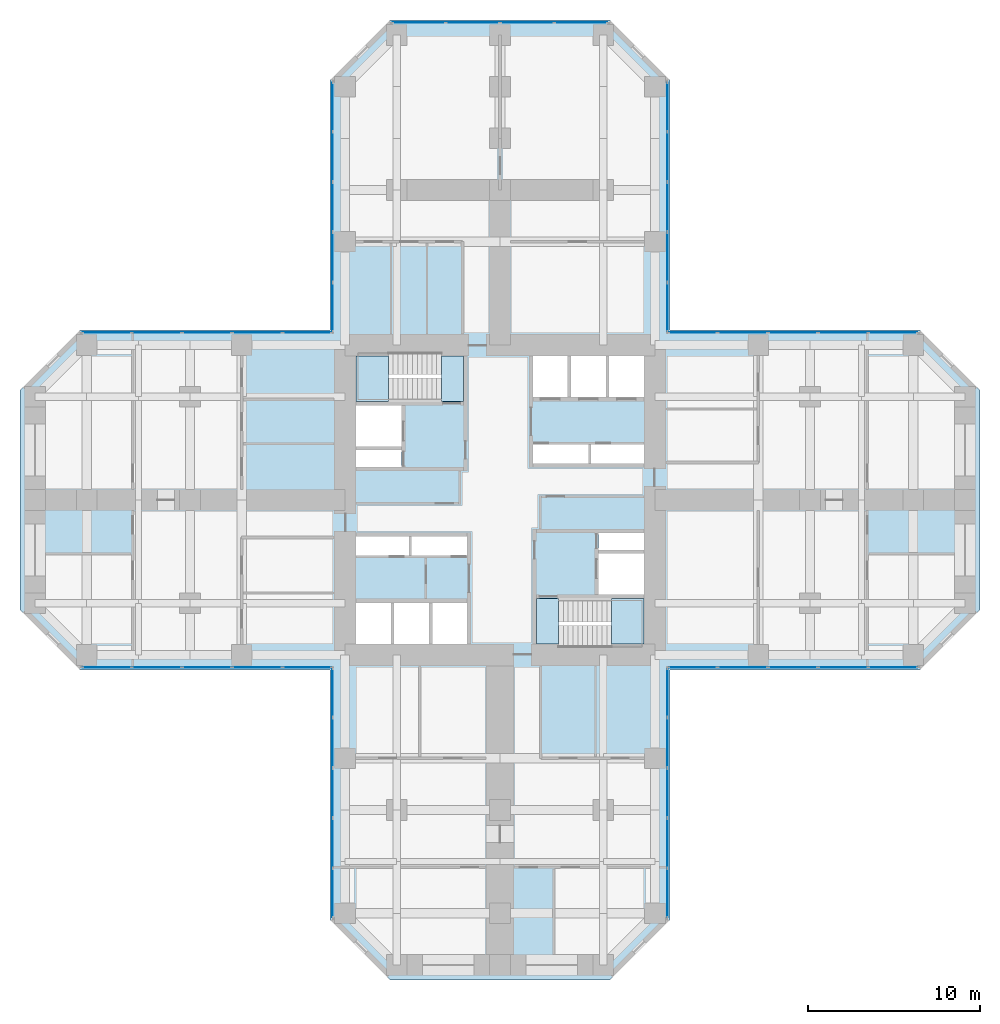
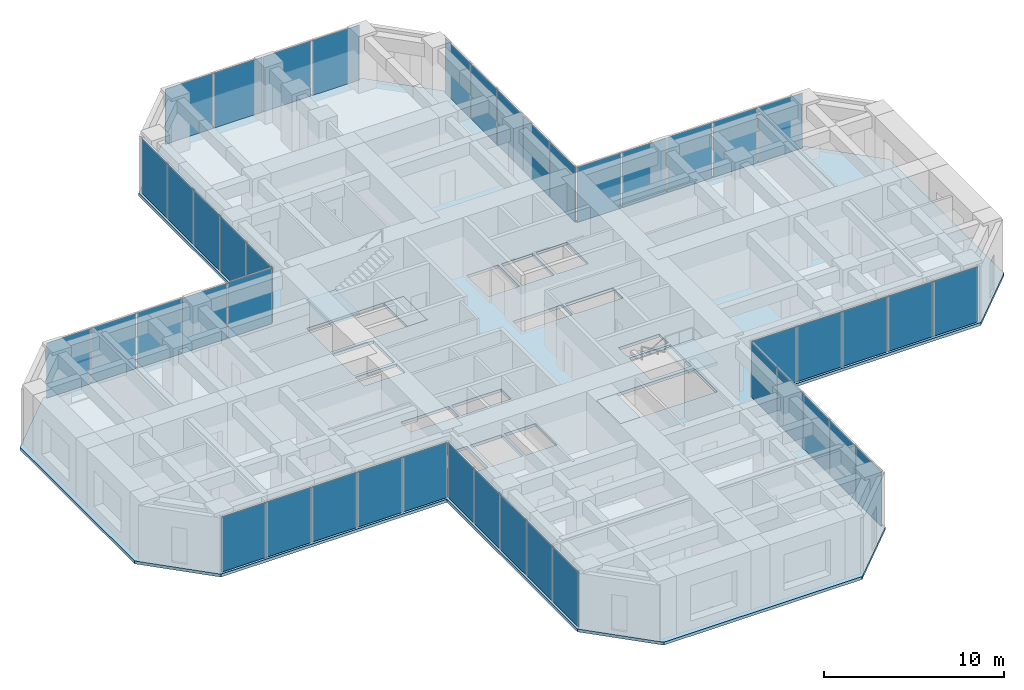
# One storey, part 7 of 13: 44 plates, 5 slabs, 11 elements without a shape of their own.
"""IFC4 building model written with IfcOpenShell, lengths in metres."""

from ifc_helpers import new_model, si_unit, direction, frame, origin, origin_2d, place, context, subcontext, project, spatial, polyline, rectangle, outline, extrude, material, layer, layer_set, type_object, element, aggregate, save


model = new_model("IFC4")

# Units and contexts
model_context = context("Model", 3, precision=1e-05, world=origin(), true_north=direction((0.0, 1.0)))
body_context = subcontext(model_context, "Body", "Model", "MODEL_VIEW")
ifc_project = project(units=[si_unit("LENGTHUNIT", "METRE"), si_unit("AREAUNIT", "SQUARE_METRE"), si_unit("VOLUMEUNIT", "CUBIC_METRE"), si_unit("PLANEANGLEUNIT", "RADIAN"), si_unit("MASSUNIT", "GRAM", prefix="KILO")], contexts=[model_context])

# Site, building, storey
site_placement = place(None, origin())
site = spatial("IfcSite", under=ifc_project, at=site_placement, CompositionType="ELEMENT")
building_placement = place(site_placement, origin())
building = spatial("IfcBuilding", under=site, at=building_placement, Name="Torre Cruceta", CompositionType="ELEMENT")
storey_placement = place(building_placement, frame((0.0, 0.0, 47.5)))
storey = spatial("IfcBuildingStorey", under=building, at=storey_placement, Name="L11", CompositionType="ELEMENT", Elevation=47.5)

# Curtain wall, plate
ifc_material_1 = material(Name="Aluminium unitised curtain wall", Category="aluminium")
curtain_wall_type = type_object("IfcCurtainWallType", Name="CURTAIN WALL CW-A OFFICE LOW RISE", PredefinedType="USERDEFINED", material=ifc_material_1)
curtain_wall_1_placement = place(storey_placement, origin())
curtain_wall_1 = element("IfcCurtainWall", 1, at=curtain_wall_1_placement, inside=storey, type_object=curtain_wall_type, Name="CW-A L11 E side 00", ObjectType="UNITISED", PredefinedType="USERDEFINED")
ifc_material_2 = material(Name="Laminated insulating glass unit, low-iron clear", Category="glass")
ifc_material_3 = material(Name="Laminated insulating glass unit, diagonal frit 50 %", Category="glass")
ifc_layer_1 = layer(ifc_material_3, 0.033935546875)
ifc_layer_set_1 = layer_set([ifc_layer_1], Name="Laminated insulating glass unit, diagonal frit 50 %")
plate_type_1 = type_object("IfcPlateType", Name="CW-A OPERABLE VENT PANEL 34", PredefinedType="CURTAIN_PANEL", material=ifc_layer_set_1)
plate_1_placement = place(storey_placement, frame((17.009033203125, -9.719970703125, 0.010009765625), z_axis=(0.0, 0.0, 1.0), x_axis=(1.0, 0.0, 0.0)))
plate_1 = element("IfcPlate", 2, at=plate_1_placement, type_object=plate_type_1, material=ifc_material_2, Name="CW-A vent 3", PredefinedType="CURTAIN_PANEL", context=body_context, shape_type="SweptSolid", body=[
    extrude(rectangle(XDim=2.8505859375, YDim=0.033935546875, at=origin_2d()), origin(), (0.0, 0.0, 1.0), 3.72509765625),
])

curtain_wall_2_placement = place(storey_placement, origin())
curtain_wall_2 = element("IfcCurtainWall", 3, at=curtain_wall_2_placement, inside=storey, type_object=curtain_wall_type, Name="CW-A L11 E side 04", ObjectType="UNITISED", PredefinedType="USERDEFINED")
plate_2_placement = place(storey_placement, frame((17.009033203125, 9.719970703125, 0.010009765625), z_axis=(0.0, 0.0, 1.0), x_axis=(-1.0, 0.0, 0.0)))
plate_2 = element("IfcPlate", 4, at=plate_2_placement, type_object=plate_type_1, material=ifc_material_2, Name="CW-A vent 3", PredefinedType="CURTAIN_PANEL", context=body_context, shape_type="SweptSolid", body=[
    extrude(rectangle(XDim=2.8505859375, YDim=0.033935546875, at=origin_2d()), origin(), (0.0, 0.0, 1.0), 3.72509765625),
])

curtain_wall_3_placement = place(storey_placement, origin())
curtain_wall_3 = element("IfcCurtainWall", 5, at=curtain_wall_3_placement, inside=storey, type_object=curtain_wall_type, Name="CW-A L11 N side 05", ObjectType="UNITISED", PredefinedType="USERDEFINED")
plate_3_placement = place(storey_placement, frame((9.719970703125, 17.009033203125, 0.010009765625), z_axis=(0.0, 0.0, 1.0), x_axis=(0.0, 1.0, 0.0)))
plate_3 = element("IfcPlate", 6, at=plate_3_placement, type_object=plate_type_1, material=ifc_material_2, Name="CW-A vent 3", PredefinedType="CURTAIN_PANEL", context=body_context, shape_type="SweptSolid", body=[
    extrude(rectangle(XDim=2.8505859375, YDim=0.033935546875, at=origin_2d()), origin(), (0.0, 0.0, 1.0), 3.72509765625),
])

curtain_wall_4_placement = place(storey_placement, origin())
curtain_wall_4 = element("IfcCurtainWall", 7, at=curtain_wall_4_placement, inside=storey, type_object=curtain_wall_type, Name="CW-A L11 N tip 07", ObjectType="UNITISED", PredefinedType="USERDEFINED")
plate_4_placement = place(storey_placement, frame((-1.574462890625, 27.719970703125, 0.010009765625), z_axis=(0.0, 0.0, 1.0), x_axis=(-1.0, 0.0, 0.0)))
plate_4 = element("IfcPlate", 8, at=plate_4_placement, type_object=plate_type_1, material=ifc_material_2, Name="CW-A vent 3", PredefinedType="CURTAIN_PANEL", context=body_context, shape_type="SweptSolid", body=[
    extrude(rectangle(XDim=3.084228515625, YDim=0.033935546875, at=origin_2d()), origin(), (0.0, 0.0, 1.0), 3.72509765625),
])

curtain_wall_5_placement = place(storey_placement, origin())
curtain_wall_5 = element("IfcCurtainWall", 9, at=curtain_wall_5_placement, inside=storey, type_object=curtain_wall_type, Name="CW-A L11 N side 09", ObjectType="UNITISED", PredefinedType="USERDEFINED")
plate_5_placement = place(storey_placement, frame((-9.719970703125, 17.009033203125, 0.010009765625), z_axis=(0.0, 0.0, 1.0), x_axis=(0.0, -1.0, 0.0)))
plate_5 = element("IfcPlate", 10, at=plate_5_placement, type_object=plate_type_1, material=ifc_material_2, Name="CW-A vent 3", PredefinedType="CURTAIN_PANEL", context=body_context, shape_type="SweptSolid", body=[
    extrude(rectangle(XDim=2.8505859375, YDim=0.033935546875, at=origin_2d()), origin(), (0.0, 0.0, 1.0), 3.72509765625),
])

curtain_wall_6_placement = place(storey_placement, origin())
curtain_wall_6 = element("IfcCurtainWall", 11, at=curtain_wall_6_placement, inside=storey, type_object=curtain_wall_type, Name="CW-A L11 W side 10", ObjectType="UNITISED", PredefinedType="USERDEFINED")
plate_6_placement = place(storey_placement, frame((-17.009033203125, 9.719970703125, 0.010009765625), z_axis=(0.0, 0.0, 1.0), x_axis=(-1.0, 0.0, 0.0)))
plate_6 = element("IfcPlate", 12, at=plate_6_placement, type_object=plate_type_1, material=ifc_material_2, Name="CW-A vent 3", PredefinedType="CURTAIN_PANEL", context=body_context, shape_type="SweptSolid", body=[
    extrude(rectangle(XDim=2.8505859375, YDim=0.033935546875, at=origin_2d()), origin(), (0.0, 0.0, 1.0), 3.72509765625),
])

curtain_wall_7_placement = place(storey_placement, origin())
curtain_wall_7 = element("IfcCurtainWall", 13, at=curtain_wall_7_placement, inside=storey, type_object=curtain_wall_type, Name="CW-A L11 W side 14", ObjectType="UNITISED", PredefinedType="USERDEFINED")
plate_7_placement = place(storey_placement, frame((-17.009033203125, -9.719970703125, 0.010009765625), z_axis=(0.0, 0.0, 1.0), x_axis=(1.0, 0.0, 0.0)))
plate_7 = element("IfcPlate", 14, at=plate_7_placement, type_object=plate_type_1, material=ifc_material_2, Name="CW-A vent 3", PredefinedType="CURTAIN_PANEL", context=body_context, shape_type="SweptSolid", body=[
    extrude(rectangle(XDim=2.8505859375, YDim=0.033935546875, at=origin_2d()), origin(), (0.0, 0.0, 1.0), 3.72509765625),
])

curtain_wall_8_placement = place(storey_placement, origin())
curtain_wall_8 = element("IfcCurtainWall", 15, at=curtain_wall_8_placement, inside=storey, type_object=curtain_wall_type, Name="CW-A L11 S side 15", ObjectType="UNITISED", PredefinedType="USERDEFINED")
plate_8_placement = place(storey_placement, frame((-9.719970703125, -17.009033203125, 0.010009765625), z_axis=(0.0, 0.0, 1.0), x_axis=(0.0, -1.0, 0.0)))
plate_8 = element("IfcPlate", 16, at=plate_8_placement, type_object=plate_type_1, material=ifc_material_2, Name="CW-A vent 3", PredefinedType="CURTAIN_PANEL", context=body_context, shape_type="SweptSolid", body=[
    extrude(rectangle(XDim=2.8505859375, YDim=0.033935546875, at=origin_2d()), origin(), (0.0, 0.0, 1.0), 3.72509765625),
])

curtain_wall_9_placement = place(storey_placement, origin())
curtain_wall_9 = element("IfcCurtainWall", 17, at=curtain_wall_9_placement, inside=storey, type_object=curtain_wall_type, Name="CW-A L11 S side 19", ObjectType="UNITISED", PredefinedType="USERDEFINED")
plate_9_placement = place(storey_placement, frame((9.719970703125, -17.009033203125, 0.010009765625), z_axis=(0.0, 0.0, 1.0), x_axis=(0.0, 1.0, 0.0)))
plate_9 = element("IfcPlate", 18, at=plate_9_placement, type_object=plate_type_1, material=ifc_material_2, Name="CW-A vent 3", PredefinedType="CURTAIN_PANEL", context=body_context, shape_type="SweptSolid", body=[
    extrude(rectangle(XDim=2.8505859375, YDim=0.033935546875, at=origin_2d()), origin(), (0.0, 0.0, 1.0), 3.72509765625),
])

# Plate
ifc_material_4 = material(Name="Laminated insulating glass unit, diagonal frit 50 %", Category="glass")
ifc_material_5 = material(Name="Laminated insulating glass unit, diagonal frit 50 %", Category="glass")
ifc_layer_2 = layer(ifc_material_5, 0.033935546875)
ifc_layer_set_2 = layer_set([ifc_layer_2], Name="Laminated insulating glass unit, diagonal frit 50 %")
plate_type_2 = type_object("IfcPlateType", Name="CW-A PANEL 34", PredefinedType="CURTAIN_PANEL", material=ifc_layer_set_2)
plate_10_placement = place(storey_placement, frame((11.194091796875, -9.719970703125, 0.010009765625), z_axis=(0.0, 0.0, 1.0), x_axis=(1.0, 0.0, 0.0)))
plate_10 = element("IfcPlate", 19, at=plate_10_placement, type_object=plate_type_2, material=ifc_material_4, Name="CW-A panel 1", PredefinedType="CURTAIN_PANEL", context=body_context, shape_type="SweptSolid", body=[
    extrude(rectangle(XDim=2.818115234375, YDim=0.033935546875, at=origin_2d()), origin(), (0.0, 0.0, 1.0), 3.72509765625),
])

plate_11_placement = place(storey_placement, frame((14.093505859375, -9.719970703125, 0.010009765625), z_axis=(0.0, 0.0, 1.0), x_axis=(1.0, 0.0, 0.0)))
plate_11 = element("IfcPlate", 20, at=plate_11_placement, type_object=plate_type_2, material=ifc_material_2, Name="CW-A panel 2", PredefinedType="CURTAIN_PANEL", context=body_context, shape_type="SweptSolid", body=[
    extrude(rectangle(XDim=2.8505859375, YDim=0.033935546875, at=origin_2d()), origin(), (0.0, 0.0, 1.0), 3.72509765625),
])

plate_12_placement = place(storey_placement, frame((19.9248046875, -9.719970703125, 0.010009765625), z_axis=(0.0, 0.0, 1.0), x_axis=(1.0, 0.0, 0.0)))
plate_12 = element("IfcPlate", 21, at=plate_12_placement, type_object=plate_type_2, material=ifc_material_4, Name="CW-A panel 4", PredefinedType="CURTAIN_PANEL", context=body_context, shape_type="SweptSolid", body=[
    extrude(rectangle(XDim=2.8505859375, YDim=0.033935546875, at=origin_2d()), origin(), (0.0, 0.0, 1.0), 3.72509765625),
])

plate_13_placement = place(storey_placement, frame((22.82421875, -9.719970703125, 0.010009765625), z_axis=(0.0, 0.0, 1.0), x_axis=(1.0, 0.0, 0.0)))
plate_13 = element("IfcPlate", 22, at=plate_13_placement, type_object=plate_type_2, material=ifc_material_4, Name="CW-A panel 5", PredefinedType="CURTAIN_PANEL", context=body_context, shape_type="SweptSolid", body=[
    extrude(rectangle(XDim=2.818115234375, YDim=0.033935546875, at=origin_2d()), origin(), (0.0, 0.0, 1.0), 3.72509765625),
])

aggregate(curtain_wall_1, [plate_10, plate_11, plate_1, plate_12, plate_13])

plate_14_placement = place(storey_placement, frame((22.82421875, 9.719970703125, 0.010009765625), z_axis=(0.0, 0.0, 1.0), x_axis=(-1.0, 0.0, 0.0)))
plate_14 = element("IfcPlate", 23, at=plate_14_placement, type_object=plate_type_2, material=ifc_material_4, Name="CW-A panel 1", PredefinedType="CURTAIN_PANEL", context=body_context, shape_type="SweptSolid", body=[
    extrude(rectangle(XDim=2.818115234375, YDim=0.033935546875, at=origin_2d()), origin(), (0.0, 0.0, 1.0), 3.72509765625),
])

plate_15_placement = place(storey_placement, frame((19.9248046875, 9.719970703125, 0.010009765625), z_axis=(0.0, 0.0, 1.0), x_axis=(-1.0, 0.0, 0.0)))
plate_15 = element("IfcPlate", 24, at=plate_15_placement, type_object=plate_type_2, material=ifc_material_2, Name="CW-A panel 2", PredefinedType="CURTAIN_PANEL", context=body_context, shape_type="SweptSolid", body=[
    extrude(rectangle(XDim=2.8505859375, YDim=0.033935546875, at=origin_2d()), origin(), (0.0, 0.0, 1.0), 3.72509765625),
])

plate_16_placement = place(storey_placement, frame((14.093505859375, 9.719970703125, 0.010009765625), z_axis=(0.0, 0.0, 1.0), x_axis=(-1.0, 0.0, 0.0)))
plate_16 = element("IfcPlate", 25, at=plate_16_placement, type_object=plate_type_2, material=ifc_material_4, Name="CW-A panel 4", PredefinedType="CURTAIN_PANEL", context=body_context, shape_type="SweptSolid", body=[
    extrude(rectangle(XDim=2.8505859375, YDim=0.033935546875, at=origin_2d()), origin(), (0.0, 0.0, 1.0), 3.72509765625),
])

plate_17_placement = place(storey_placement, frame((11.194091796875, 9.719970703125, 0.010009765625), z_axis=(0.0, 0.0, 1.0), x_axis=(-1.0, 0.0, 0.0)))
plate_17 = element("IfcPlate", 26, at=plate_17_placement, type_object=plate_type_2, material=ifc_material_4, Name="CW-A panel 5", PredefinedType="CURTAIN_PANEL", context=body_context, shape_type="SweptSolid", body=[
    extrude(rectangle(XDim=2.818115234375, YDim=0.033935546875, at=origin_2d()), origin(), (0.0, 0.0, 1.0), 3.72509765625),
])

aggregate(curtain_wall_2, [plate_14, plate_15, plate_2, plate_16, plate_17])

plate_18_placement = place(storey_placement, frame((9.719970703125, 11.194091796875, 0.010009765625), z_axis=(0.0, 0.0, 1.0), x_axis=(0.0, 1.0, 0.0)))
plate_18 = element("IfcPlate", 27, at=plate_18_placement, type_object=plate_type_2, material=ifc_material_4, Name="CW-A panel 1", PredefinedType="CURTAIN_PANEL", context=body_context, shape_type="SweptSolid", body=[
    extrude(rectangle(XDim=2.818115234375, YDim=0.033935546875, at=origin_2d()), origin(), (0.0, 0.0, 1.0), 3.72509765625),
])

plate_19_placement = place(storey_placement, frame((9.719970703125, 14.093505859375, 0.010009765625), z_axis=(0.0, 0.0, 1.0), x_axis=(0.0, 1.0, 0.0)))
plate_19 = element("IfcPlate", 28, at=plate_19_placement, type_object=plate_type_2, material=ifc_material_2, Name="CW-A panel 2", PredefinedType="CURTAIN_PANEL", context=body_context, shape_type="SweptSolid", body=[
    extrude(rectangle(XDim=2.8505859375, YDim=0.033935546875, at=origin_2d()), origin(), (0.0, 0.0, 1.0), 3.72509765625),
])

plate_20_placement = place(storey_placement, frame((9.719970703125, 19.9248046875, 0.010009765625), z_axis=(0.0, 0.0, 1.0), x_axis=(0.0, 1.0, 0.0)))
plate_20 = element("IfcPlate", 29, at=plate_20_placement, type_object=plate_type_2, material=ifc_material_4, Name="CW-A panel 4", PredefinedType="CURTAIN_PANEL", context=body_context, shape_type="SweptSolid", body=[
    extrude(rectangle(XDim=2.8505859375, YDim=0.033935546875, at=origin_2d()), origin(), (0.0, 0.0, 1.0), 3.72509765625),
])

plate_21_placement = place(storey_placement, frame((9.719970703125, 22.82421875, 0.010009765625), z_axis=(0.0, 0.0, 1.0), x_axis=(0.0, 1.0, 0.0)))
plate_21 = element("IfcPlate", 30, at=plate_21_placement, type_object=plate_type_2, material=ifc_material_4, Name="CW-A panel 5", PredefinedType="CURTAIN_PANEL", context=body_context, shape_type="SweptSolid", body=[
    extrude(rectangle(XDim=2.818115234375, YDim=0.033935546875, at=origin_2d()), origin(), (0.0, 0.0, 1.0), 3.72509765625),
])

aggregate(curtain_wall_3, [plate_18, plate_19, plate_3, plate_20, plate_21])

plate_22_placement = place(storey_placement, frame((4.70751953125, 27.719970703125, 0.010009765625), z_axis=(0.0, 0.0, 1.0), x_axis=(-1.0, 0.0, 0.0)))
plate_22 = element("IfcPlate", 31, at=plate_22_placement, type_object=plate_type_2, material=ifc_material_4, Name="CW-A panel 1", PredefinedType="CURTAIN_PANEL", context=body_context, shape_type="SweptSolid", body=[
    extrude(rectangle(XDim=3.051513671875, YDim=0.033935546875, at=origin_2d()), origin(), (0.0, 0.0, 1.0), 3.72509765625),
])

plate_23_placement = place(storey_placement, frame((1.574462890625, 27.719970703125, 0.010009765625), z_axis=(0.0, 0.0, 1.0), x_axis=(-1.0, 0.0, 0.0)))
plate_23 = element("IfcPlate", 32, at=plate_23_placement, type_object=plate_type_2, material=ifc_material_2, Name="CW-A panel 2", PredefinedType="CURTAIN_PANEL", context=body_context, shape_type="SweptSolid", body=[
    extrude(rectangle(XDim=3.084228515625, YDim=0.033935546875, at=origin_2d()), origin(), (0.0, 0.0, 1.0), 3.72509765625),
])

plate_24_placement = place(storey_placement, frame((-4.70751953125, 27.719970703125, 0.010009765625), z_axis=(0.0, 0.0, 1.0), x_axis=(-1.0, 0.0, 0.0)))
plate_24 = element("IfcPlate", 33, at=plate_24_placement, type_object=plate_type_2, material=ifc_material_4, Name="CW-A panel 4", PredefinedType="CURTAIN_PANEL", context=body_context, shape_type="SweptSolid", body=[
    extrude(rectangle(XDim=3.051513671875, YDim=0.033935546875, at=origin_2d()), origin(), (0.0, 0.0, 1.0), 3.72509765625),
])

aggregate(curtain_wall_4, [plate_22, plate_23, plate_4, plate_24])

plate_25_placement = place(storey_placement, frame((-9.719970703125, 22.82421875, 0.010009765625), z_axis=(0.0, 0.0, 1.0), x_axis=(0.0, -1.0, 0.0)))
plate_25 = element("IfcPlate", 34, at=plate_25_placement, type_object=plate_type_2, material=ifc_material_4, Name="CW-A panel 1", PredefinedType="CURTAIN_PANEL", context=body_context, shape_type="SweptSolid", body=[
    extrude(rectangle(XDim=2.818115234375, YDim=0.033935546875, at=origin_2d()), origin(), (0.0, 0.0, 1.0), 3.72509765625),
])

plate_26_placement = place(storey_placement, frame((-9.719970703125, 19.9248046875, 0.010009765625), z_axis=(0.0, 0.0, 1.0), x_axis=(0.0, -1.0, 0.0)))
plate_26 = element("IfcPlate", 35, at=plate_26_placement, type_object=plate_type_2, material=ifc_material_2, Name="CW-A panel 2", PredefinedType="CURTAIN_PANEL", context=body_context, shape_type="SweptSolid", body=[
    extrude(rectangle(XDim=2.8505859375, YDim=0.033935546875, at=origin_2d()), origin(), (0.0, 0.0, 1.0), 3.72509765625),
])

plate_27_placement = place(storey_placement, frame((-9.719970703125, 14.093505859375, 0.010009765625), z_axis=(0.0, 0.0, 1.0), x_axis=(0.0, -1.0, 0.0)))
plate_27 = element("IfcPlate", 36, at=plate_27_placement, type_object=plate_type_2, material=ifc_material_4, Name="CW-A panel 4", PredefinedType="CURTAIN_PANEL", context=body_context, shape_type="SweptSolid", body=[
    extrude(rectangle(XDim=2.8505859375, YDim=0.033935546875, at=origin_2d()), origin(), (0.0, 0.0, 1.0), 3.72509765625),
])

plate_28_placement = place(storey_placement, frame((-9.719970703125, 11.194091796875, 0.010009765625), z_axis=(0.0, 0.0, 1.0), x_axis=(0.0, -1.0, 0.0)))
plate_28 = element("IfcPlate", 37, at=plate_28_placement, type_object=plate_type_2, material=ifc_material_4, Name="CW-A panel 5", PredefinedType="CURTAIN_PANEL", context=body_context, shape_type="SweptSolid", body=[
    extrude(rectangle(XDim=2.818115234375, YDim=0.033935546875, at=origin_2d()), origin(), (0.0, 0.0, 1.0), 3.72509765625),
])

aggregate(curtain_wall_5, [plate_25, plate_26, plate_5, plate_27, plate_28])

plate_29_placement = place(storey_placement, frame((-11.194091796875, 9.719970703125, 0.010009765625), z_axis=(0.0, 0.0, 1.0), x_axis=(-1.0, 0.0, 0.0)))
plate_29 = element("IfcPlate", 38, at=plate_29_placement, type_object=plate_type_2, material=ifc_material_4, Name="CW-A panel 1", PredefinedType="CURTAIN_PANEL", context=body_context, shape_type="SweptSolid", body=[
    extrude(rectangle(XDim=2.818115234375, YDim=0.033935546875, at=origin_2d()), origin(), (0.0, 0.0, 1.0), 3.72509765625),
])

plate_30_placement = place(storey_placement, frame((-14.093505859375, 9.719970703125, 0.010009765625), z_axis=(0.0, 0.0, 1.0), x_axis=(-1.0, 0.0, 0.0)))
plate_30 = element("IfcPlate", 39, at=plate_30_placement, type_object=plate_type_2, material=ifc_material_2, Name="CW-A panel 2", PredefinedType="CURTAIN_PANEL", context=body_context, shape_type="SweptSolid", body=[
    extrude(rectangle(XDim=2.8505859375, YDim=0.033935546875, at=origin_2d()), origin(), (0.0, 0.0, 1.0), 3.72509765625),
])

plate_31_placement = place(storey_placement, frame((-19.9248046875, 9.719970703125, 0.010009765625), z_axis=(0.0, 0.0, 1.0), x_axis=(-1.0, 0.0, 0.0)))
plate_31 = element("IfcPlate", 40, at=plate_31_placement, type_object=plate_type_2, material=ifc_material_4, Name="CW-A panel 4", PredefinedType="CURTAIN_PANEL", context=body_context, shape_type="SweptSolid", body=[
    extrude(rectangle(XDim=2.8505859375, YDim=0.033935546875, at=origin_2d()), origin(), (0.0, 0.0, 1.0), 3.72509765625),
])

plate_32_placement = place(storey_placement, frame((-22.82421875, 9.719970703125, 0.010009765625), z_axis=(0.0, 0.0, 1.0), x_axis=(-1.0, 0.0, 0.0)))
plate_32 = element("IfcPlate", 41, at=plate_32_placement, type_object=plate_type_2, material=ifc_material_4, Name="CW-A panel 5", PredefinedType="CURTAIN_PANEL", context=body_context, shape_type="SweptSolid", body=[
    extrude(rectangle(XDim=2.818115234375, YDim=0.033935546875, at=origin_2d()), origin(), (0.0, 0.0, 1.0), 3.72509765625),
])

aggregate(curtain_wall_6, [plate_29, plate_30, plate_6, plate_31, plate_32])

plate_33_placement = place(storey_placement, frame((-22.82421875, -9.719970703125, 0.010009765625), z_axis=(0.0, 0.0, 1.0), x_axis=(1.0, 0.0, 0.0)))
plate_33 = element("IfcPlate", 42, at=plate_33_placement, type_object=plate_type_2, material=ifc_material_4, Name="CW-A panel 1", PredefinedType="CURTAIN_PANEL", context=body_context, shape_type="SweptSolid", body=[
    extrude(rectangle(XDim=2.818115234375, YDim=0.033935546875, at=origin_2d()), origin(), (0.0, 0.0, 1.0), 3.72509765625),
])

plate_34_placement = place(storey_placement, frame((-19.9248046875, -9.719970703125, 0.010009765625), z_axis=(0.0, 0.0, 1.0), x_axis=(1.0, 0.0, 0.0)))
plate_34 = element("IfcPlate", 43, at=plate_34_placement, type_object=plate_type_2, material=ifc_material_2, Name="CW-A panel 2", PredefinedType="CURTAIN_PANEL", context=body_context, shape_type="SweptSolid", body=[
    extrude(rectangle(XDim=2.8505859375, YDim=0.033935546875, at=origin_2d()), origin(), (0.0, 0.0, 1.0), 3.72509765625),
])

plate_35_placement = place(storey_placement, frame((-14.093505859375, -9.719970703125, 0.010009765625), z_axis=(0.0, 0.0, 1.0), x_axis=(1.0, 0.0, 0.0)))
plate_35 = element("IfcPlate", 44, at=plate_35_placement, type_object=plate_type_2, material=ifc_material_4, Name="CW-A panel 4", PredefinedType="CURTAIN_PANEL", context=body_context, shape_type="SweptSolid", body=[
    extrude(rectangle(XDim=2.8505859375, YDim=0.033935546875, at=origin_2d()), origin(), (0.0, 0.0, 1.0), 3.72509765625),
])

plate_36_placement = place(storey_placement, frame((-11.194091796875, -9.719970703125, 0.010009765625), z_axis=(0.0, 0.0, 1.0), x_axis=(1.0, 0.0, 0.0)))
plate_36 = element("IfcPlate", 45, at=plate_36_placement, type_object=plate_type_2, material=ifc_material_4, Name="CW-A panel 5", PredefinedType="CURTAIN_PANEL", context=body_context, shape_type="SweptSolid", body=[
    extrude(rectangle(XDim=2.818115234375, YDim=0.033935546875, at=origin_2d()), origin(), (0.0, 0.0, 1.0), 3.72509765625),
])

aggregate(curtain_wall_7, [plate_33, plate_34, plate_7, plate_35, plate_36])

plate_37_placement = place(storey_placement, frame((-9.719970703125, -11.194091796875, 0.010009765625), z_axis=(0.0, 0.0, 1.0), x_axis=(0.0, -1.0, 0.0)))
plate_37 = element("IfcPlate", 46, at=plate_37_placement, type_object=plate_type_2, material=ifc_material_4, Name="CW-A panel 1", PredefinedType="CURTAIN_PANEL", context=body_context, shape_type="SweptSolid", body=[
    extrude(rectangle(XDim=2.818115234375, YDim=0.033935546875, at=origin_2d()), origin(), (0.0, 0.0, 1.0), 3.72509765625),
])

plate_38_placement = place(storey_placement, frame((-9.719970703125, -14.093505859375, 0.010009765625), z_axis=(0.0, 0.0, 1.0), x_axis=(0.0, -1.0, 0.0)))
plate_38 = element("IfcPlate", 47, at=plate_38_placement, type_object=plate_type_2, material=ifc_material_2, Name="CW-A panel 2", PredefinedType="CURTAIN_PANEL", context=body_context, shape_type="SweptSolid", body=[
    extrude(rectangle(XDim=2.8505859375, YDim=0.033935546875, at=origin_2d()), origin(), (0.0, 0.0, 1.0), 3.72509765625),
])

plate_39_placement = place(storey_placement, frame((-9.719970703125, -19.9248046875, 0.010009765625), z_axis=(0.0, 0.0, 1.0), x_axis=(0.0, -1.0, 0.0)))
plate_39 = element("IfcPlate", 48, at=plate_39_placement, type_object=plate_type_2, material=ifc_material_4, Name="CW-A panel 4", PredefinedType="CURTAIN_PANEL", context=body_context, shape_type="SweptSolid", body=[
    extrude(rectangle(XDim=2.8505859375, YDim=0.033935546875, at=origin_2d()), origin(), (0.0, 0.0, 1.0), 3.72509765625),
])

plate_40_placement = place(storey_placement, frame((-9.719970703125, -22.82421875, 0.010009765625), z_axis=(0.0, 0.0, 1.0), x_axis=(0.0, -1.0, 0.0)))
plate_40 = element("IfcPlate", 49, at=plate_40_placement, type_object=plate_type_2, material=ifc_material_4, Name="CW-A panel 5", PredefinedType="CURTAIN_PANEL", context=body_context, shape_type="SweptSolid", body=[
    extrude(rectangle(XDim=2.818115234375, YDim=0.033935546875, at=origin_2d()), origin(), (0.0, 0.0, 1.0), 3.72509765625),
])

aggregate(curtain_wall_8, [plate_37, plate_38, plate_8, plate_39, plate_40])

plate_41_placement = place(storey_placement, frame((9.719970703125, -22.82421875, 0.010009765625), z_axis=(0.0, 0.0, 1.0), x_axis=(0.0, 1.0, 0.0)))
plate_41 = element("IfcPlate", 50, at=plate_41_placement, type_object=plate_type_2, material=ifc_material_4, Name="CW-A panel 1", PredefinedType="CURTAIN_PANEL", context=body_context, shape_type="SweptSolid", body=[
    extrude(rectangle(XDim=2.818115234375, YDim=0.033935546875, at=origin_2d()), origin(), (0.0, 0.0, 1.0), 3.72509765625),
])

plate_42_placement = place(storey_placement, frame((9.719970703125, -19.9248046875, 0.010009765625), z_axis=(0.0, 0.0, 1.0), x_axis=(0.0, 1.0, 0.0)))
plate_42 = element("IfcPlate", 51, at=plate_42_placement, type_object=plate_type_2, material=ifc_material_2, Name="CW-A panel 2", PredefinedType="CURTAIN_PANEL", context=body_context, shape_type="SweptSolid", body=[
    extrude(rectangle(XDim=2.8505859375, YDim=0.033935546875, at=origin_2d()), origin(), (0.0, 0.0, 1.0), 3.72509765625),
])

plate_43_placement = place(storey_placement, frame((9.719970703125, -14.093505859375, 0.010009765625), z_axis=(0.0, 0.0, 1.0), x_axis=(0.0, 1.0, 0.0)))
plate_43 = element("IfcPlate", 52, at=plate_43_placement, type_object=plate_type_2, material=ifc_material_4, Name="CW-A panel 4", PredefinedType="CURTAIN_PANEL", context=body_context, shape_type="SweptSolid", body=[
    extrude(rectangle(XDim=2.8505859375, YDim=0.033935546875, at=origin_2d()), origin(), (0.0, 0.0, 1.0), 3.72509765625),
])

plate_44_placement = place(storey_placement, frame((9.719970703125, -11.194091796875, 0.010009765625), z_axis=(0.0, 0.0, 1.0), x_axis=(0.0, 1.0, 0.0)))
plate_44 = element("IfcPlate", 53, at=plate_44_placement, type_object=plate_type_2, material=ifc_material_4, Name="CW-A panel 5", PredefinedType="CURTAIN_PANEL", context=body_context, shape_type="SweptSolid", body=[
    extrude(rectangle(XDim=2.818115234375, YDim=0.033935546875, at=origin_2d()), origin(), (0.0, 0.0, 1.0), 3.72509765625),
])

aggregate(curtain_wall_9, [plate_41, plate_42, plate_9, plate_43, plate_44])

# Slab
ifc_material_6 = material(Name="Concrete G35 (fck 35 MPa)", Category="concrete")
ifc_layer_3 = layer(ifc_material_6, 0.199951171875)
ifc_layer_set_3 = layer_set([ifc_layer_3], Name="Concrete G35 (fck 35 MPa)")
slab_type_1 = type_object("IfcSlabType", Name="FLOOR SLAB 200", PredefinedType="FLOOR", material=ifc_layer_set_3)
slab_1_placement = place(storey_placement, frame((0.0, 0.0, -0.199951171875)))
element("IfcSlab", 54, at=slab_1_placement, inside=storey, type_object=slab_type_1, Name="Floor Slab L11", PredefinedType="FLOOR", context=body_context, shape_type="SweptSolid", body=[
    extrude(outline(polyline([(9.8701171875, -9.8701171875), (9.8701171875, -24.3603515625), (6.3603515625, -27.8701171875), (-6.3603515625, -27.8701171875), (-9.8701171875, -24.3603515625), (-9.8701171875, -9.8701171875), (-24.3603515625, -9.8701171875), (-27.8701171875, -6.3603515625), (-27.8701171875, 6.3603515625), (-24.3603515625, 9.8701171875), (-9.8701171875, 9.8701171875), (-9.8701171875, 24.3603515625), (-6.3603515625, 27.8701171875), (6.3603515625, 27.8701171875), (9.8701171875, 24.3603515625), (9.8701171875, 9.8701171875), (24.3603515625, 9.8701171875), (27.8701171875, 6.3603515625), (27.8701171875, -6.3603515625), (24.3603515625, -9.8701171875), (9.8701171875, -9.8701171875)]), holes=[polyline([(1.925048828125, 5.97509765625), (3.933349609375, 5.97509765625), (3.933349609375, 8.35009765625), (1.925048828125, 8.35009765625), (1.925048828125, 5.97509765625)]), polyline([(4.13330078125, 5.97509765625), (6.1416015625, 5.97509765625), (6.1416015625, 8.35009765625), (4.13330078125, 8.35009765625), (4.13330078125, 5.97509765625)]), polyline([(6.341552734375, 5.97509765625), (8.35009765625, 5.97509765625), (8.35009765625, 8.35009765625), (6.341552734375, 8.35009765625), (6.341552734375, 5.97509765625)]), polyline([(1.925048828125, 2.125), (5.125, 2.125), (5.125, 3.22509765625), (1.925048828125, 3.22509765625), (1.925048828125, 2.125)]), polyline([(5.27490234375, 2.125), (8.35009765625, 2.125), (8.35009765625, 3.22509765625), (5.27490234375, 3.22509765625), (5.27490234375, 2.125)]), polyline([(-8.35009765625, 3.10009765625), (-5.72509765625, 3.10009765625), (-5.72509765625, 5.47509765625), (-8.35009765625, 5.47509765625), (-8.35009765625, 3.10009765625)]), polyline([(-8.35009765625, 1.925048828125), (-5.72509765625, 1.925048828125), (-5.72509765625, 2.89990234375), (-8.35009765625, 2.89990234375), (-8.35009765625, 1.925048828125)]), polyline([(-3.933349609375, -8.35009765625), (-1.925048828125, -8.35009765625), (-1.925048828125, -5.97509765625), (-3.933349609375, -5.97509765625), (-3.933349609375, -8.35009765625)]), polyline([(-6.1416015625, -8.35009765625), (-4.13330078125, -8.35009765625), (-4.13330078125, -5.97509765625), (-6.1416015625, -5.97509765625), (-6.1416015625, -8.35009765625)]), polyline([(-8.35009765625, -8.35009765625), (-6.341552734375, -8.35009765625), (-6.341552734375, -5.97509765625), (-8.35009765625, -5.97509765625), (-8.35009765625, -8.35009765625)]), polyline([(-5.125, -3.22509765625), (-1.925048828125, -3.22509765625), (-1.925048828125, -2.125), (-5.125, -2.125), (-5.125, -3.22509765625)]), polyline([(-8.35009765625, -3.22509765625), (-5.27490234375, -3.22509765625), (-5.27490234375, -2.125), (-8.35009765625, -2.125), (-8.35009765625, -3.22509765625)]), polyline([(5.72509765625, -5.47509765625), (8.35009765625, -5.47509765625), (8.35009765625, -3.10009765625), (5.72509765625, -3.10009765625), (5.72509765625, -5.47509765625)]), polyline([(5.72509765625, -2.89990234375), (8.35009765625, -2.89990234375), (8.35009765625, -1.925048828125), (5.72509765625, -1.925048828125), (5.72509765625, -2.89990234375)]), polyline([(-8.35009765625, 5.72509765625), (-8.35009765625, 8.35009765625), (-3.39990234375, 8.35009765625), (-2.125, 8.35009765625), (-2.125, 5.72509765625), (-3.39990234375, 5.72509765625), (-8.35009765625, 5.72509765625)]), polyline([(2.125, -5.72509765625), (3.39990234375, -5.72509765625), (8.35009765625, -5.72509765625), (8.35009765625, -8.35009765625), (3.39990234375, -8.35009765625), (2.125, -8.35009765625), (2.125, -5.72509765625)])]), origin(), (0.0, 0.0, 1.0), 0.199951171875),
])

# Stair, slab
ifc_material_7 = material(Name="Concrete G30 (fck 30 MPa)", Category="concrete")
stair_type = type_object("IfcStairType", Name="STAIR HALF-TURN 1300", PredefinedType="HALF_TURN_STAIR", material=ifc_material_7)
stair_1_placement = place(storey_placement, origin())
stair_1 = element("IfcStair", 55, at=stair_1_placement, inside=storey, type_object=stair_type, Name="Stair ST1 L11", PredefinedType="HALF_TURN_STAIR")
ifc_material_8 = material(Name="Concrete G30 (fck 30 MPa)", Category="concrete")
ifc_layer_4 = layer(ifc_material_8, 0.199951171875)
ifc_layer_set_4 = layer_set([ifc_layer_4], Name="Concrete G30 (fck 30 MPa)")
slab_type_2 = type_object("IfcSlabType", Name="STAIR LANDING 200", PredefinedType="LANDING", material=ifc_layer_set_4)
slab_2_placement = place(storey_placement, frame((0.0, 0.0, 1.800048828125)))
slab_2 = element("IfcSlab", 56, at=slab_2_placement, type_object=slab_type_2, Name="ST1 landing 1", PredefinedType="LANDING", context=body_context, shape_type="SweptSolid", body=[
    extrude(outline(polyline([(-8.35009765625, 5.72509765625), (-6.47998046875, 5.72509765625), (-6.47998046875, 8.35009765625), (-8.35009765625, 8.35009765625), (-8.35009765625, 5.72509765625)])), origin(), (0.0, 0.0, 1.0), 0.199951171875),
])
aggregate(stair_1, [slab_2])

stair_2_placement = place(storey_placement, origin())
stair_2 = element("IfcStair", 57, at=stair_2_placement, inside=storey, type_object=stair_type, Name="Stair ST2 L11", PredefinedType="HALF_TURN_STAIR")
slab_3_placement = place(storey_placement, frame((0.0, 0.0, 1.800048828125)))
slab_3 = element("IfcSlab", 58, at=slab_3_placement, type_object=slab_type_2, Name="ST2 landing 1", PredefinedType="LANDING", context=body_context, shape_type="SweptSolid", body=[
    extrude(outline(polyline([(6.47998046875, -8.35009765625), (8.35009765625, -8.35009765625), (8.35009765625, -5.72509765625), (6.47998046875, -5.72509765625), (6.47998046875, -8.35009765625)])), origin(), (0.0, 0.0, 1.0), 0.199951171875),
])
aggregate(stair_2, [slab_3])

# Slabs
slab_4_placement = place(storey_placement, frame((0.0, 0.0, -0.199951171875)))
element("IfcSlab", 59, at=slab_4_placement, inside=storey, type_object=slab_type_2, Name="Stair ST1 floor landing L11", PredefinedType="LANDING", context=body_context, shape_type="SweptSolid", body=[
    extrude(outline(polyline([(-2.125, 8.35009765625), (-2.125, 5.72509765625), (-3.39990234375, 5.72509765625), (-3.39990234375, 8.35009765625), (-2.125, 8.35009765625)])), origin(), (0.0, 0.0, 1.0), 0.199951171875),
])
slab_5_placement = place(storey_placement, frame((0.0, 0.0, -0.199951171875)))
element("IfcSlab", 60, at=slab_5_placement, inside=storey, type_object=slab_type_2, Name="Stair ST2 floor landing L11", PredefinedType="LANDING", context=body_context, shape_type="SweptSolid", body=[
    extrude(outline(polyline([(2.125, -8.35009765625), (2.125, -5.72509765625), (3.39990234375, -5.72509765625), (3.39990234375, -8.35009765625), (2.125, -8.35009765625)])), origin(), (0.0, 0.0, 1.0), 0.199951171875),
])

save(model, "model.ifc")
